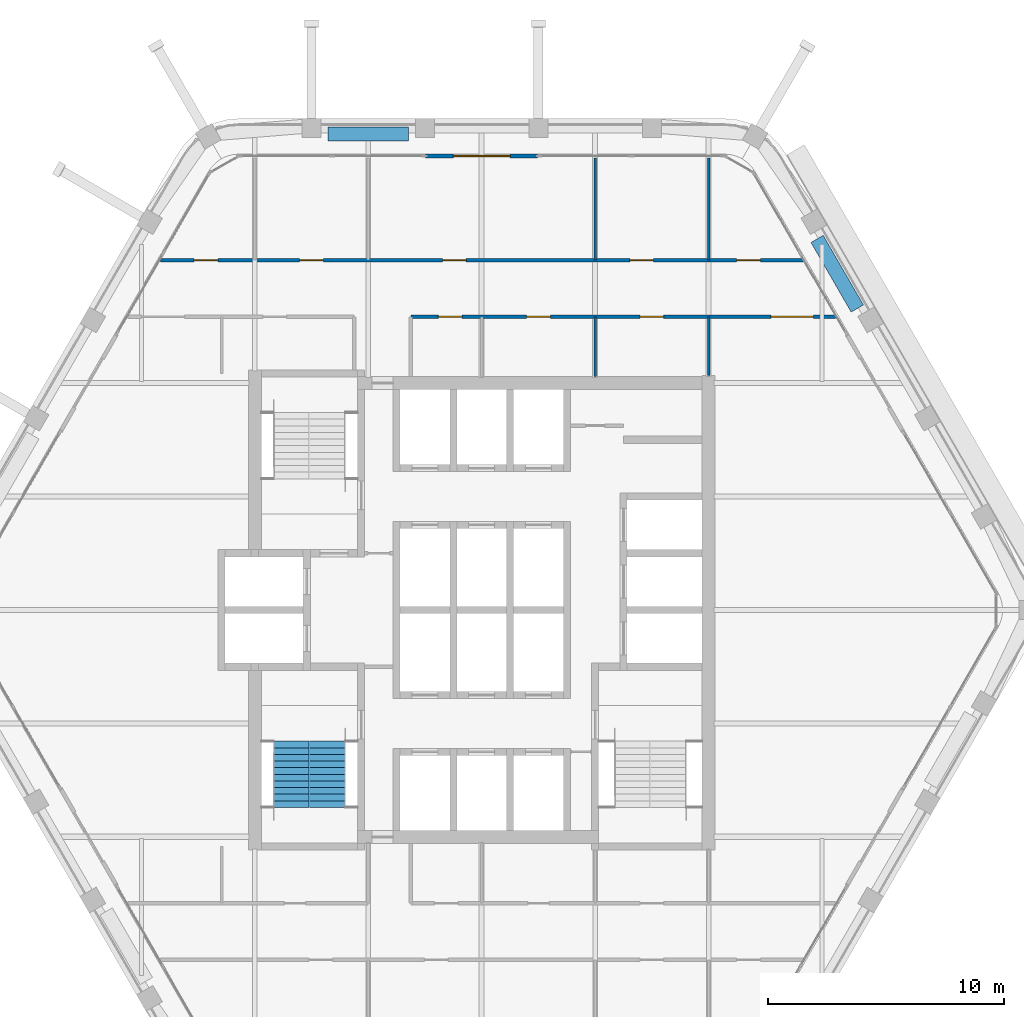
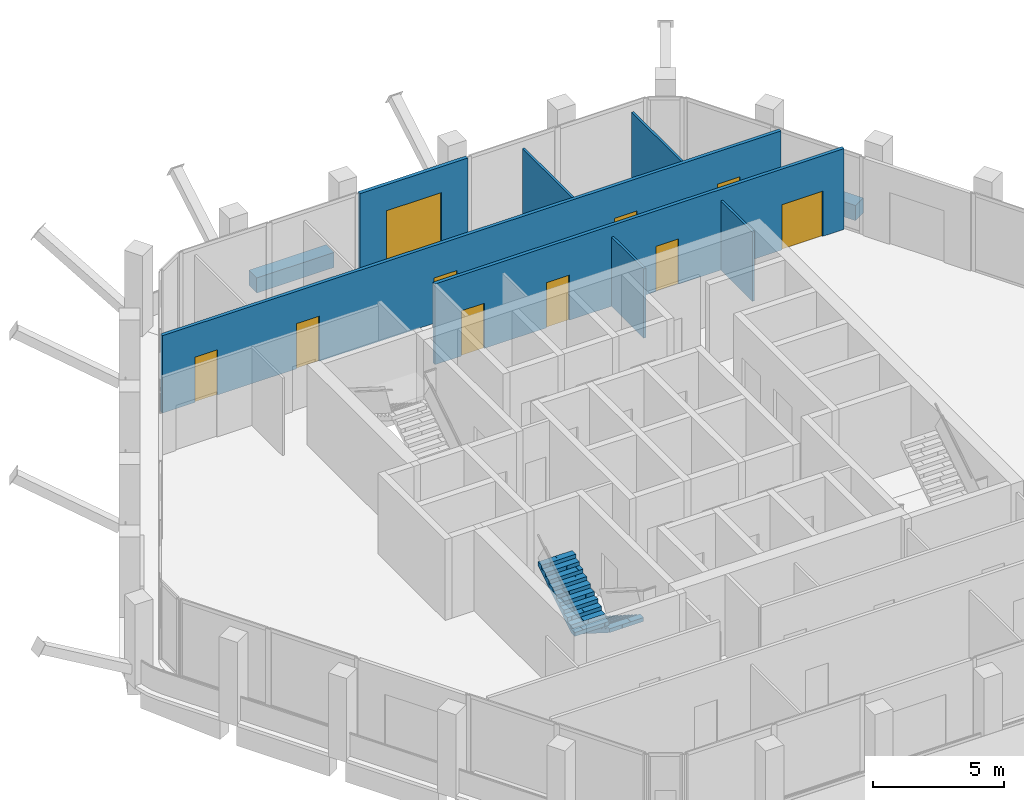
# One storey, part 10 of 14: 10 doors, 9 walls, 2 stair flights, 10 openings, 1 element without a shape of its own.
"""IFC4 building model written with IfcOpenShell, lengths in metres."""

from ifc_helpers import new_model, si_unit, direction, frame, frame_2d, origin, place, context, subcontext, project, spatial, polyline, rectangle, outline, extrude, material, layer, layer_set, type_object, element, fill, aggregate, save


model = new_model("IFC4")

# Units and contexts
model_context = context("Model", 3, precision=1e-05, world=origin(), true_north=direction((0.0, 1.0)))
body_context = subcontext(model_context, "Body", "Model", "MODEL_VIEW")
ifc_project = project(units=[si_unit("LENGTHUNIT", "METRE"), si_unit("AREAUNIT", "SQUARE_METRE"), si_unit("VOLUMEUNIT", "CUBIC_METRE"), si_unit("PLANEANGLEUNIT", "RADIAN"), si_unit("MASSUNIT", "GRAM", prefix="KILO")], contexts=[model_context])

# Site, building, storey
site_placement = place(None, origin())
site = spatial("IfcSite", under=ifc_project, at=site_placement, CompositionType="ELEMENT")
building_placement = place(site_placement, origin())
building = spatial("IfcBuilding", under=site, at=building_placement, Name="Kolab Exchange Tower", CompositionType="ELEMENT")
storey_placement = place(building_placement, frame((0.0, 0.0, 250.10009765625)))
storey = spatial("IfcBuildingStorey", under=building, at=storey_placement, Name="L55", CompositionType="ELEMENT", Elevation=250.10009765625)

# Wall, opening, door
ifc_material_1 = material(Name="Aluminium EN AW-6063 T6", Category="aluminium")
ifc_layer_1 = layer(ifc_material_1, 0.159912109375)
ifc_layer_set_1 = layer_set([ifc_layer_1], Name="Aluminium EN AW-6063 T6")
wall_type_1 = type_object("IfcWallType", Name="DOOR SURROUND WALL 160 ALUMINIUM FRAMED", PredefinedType="PARTITIONING", material=ifc_layer_set_1)
wall_1_placement = place(storey_placement, frame((-2.3701171875, 19.20458984375, 0.0), z_axis=(0.0, 0.0, 1.0), x_axis=(1.0, 0.0, 0.0)))
wall_1 = element("IfcWall", 1, at=wall_1_placement, inside=storey, type_object=wall_type_1, Name="Door surround wall", PredefinedType="PARTITIONING", context=body_context, shape_type="SweptSolid", body=[
    extrude(rectangle(XDim=4.740234375, YDim=0.159912109375, at=frame_2d((2.3701171875, 0.0))), origin(), (0.0, 0.0, 1.0), 3.599853515625),
])
opening_1_placement = place(wall_1_placement, frame((1.169921875, 0.0, 0.0)))
opening_1 = element("IfcOpeningElement", 2, at=opening_1_placement, cuts=wall_1, Name="Opening GD1-098", PredefinedType="OPENING", context=body_context, shape_type="SweptSolid", body=[
    extrude(rectangle(XDim=2.39990234375, YDim=2.39990234375, at=frame_2d((1.199951171875, 1.199951171875))), frame((0.0, 0.08984375, 0.0), z_axis=(0.0, -1.0, 0.0), x_axis=(1.0, 0.0, 0.0)), (0.0, 0.0, 1.0), 0.179931640625),
])
door_type_1 = type_object("IfcDoorType", Name="LOGGIA SLIDING GLASS DOOR 2400 X 2400", OperationType="DOUBLE_DOOR_SINGLE_SWING", PredefinedType="DOOR", material=ifc_material_1)
door_1_placement = place(opening_1_placement, origin())
door_1 = element("IfcDoor", 3, at=door_1_placement, inside=storey, type_object=door_type_1, Name="Loggia door", OperationType="DOUBLE_DOOR_SLIDING", OverallHeight=2.39990234375, OverallWidth=2.39990234375, PredefinedType="DOOR", context=body_context, shape_type="SweptSolid", body=[
    extrude(rectangle(XDim=2.39990234375, YDim=2.39990234375, at=frame_2d((1.199951171875, 1.199951171875))), frame((0.0, 0.02490234375, 0.0), z_axis=(0.0, -1.0, 0.0), x_axis=(1.0, 0.0, 0.0)), (0.0, 0.0, 1.0), 0.050048828125),
])
fill(opening_1, door_1)

# Walls
ifc_material_2 = material(Name="Gypsum board", Category="gypsum")
ifc_layer_2 = layer(ifc_material_2, 0.10009765625)
ifc_layer_set_2 = layer_set([ifc_layer_2], Name="Gypsum board")
wall_type_2 = type_object("IfcWallType", Name="PARTITION 100", PredefinedType="PARTITIONING", material=ifc_layer_set_2)
wall_2_placement = place(storey_placement, frame((9.60009765625, 9.925048828125, 0.0), z_axis=(0.0, 0.0, 1.0), x_axis=(0.0, 1.0, 0.0)))
element("IfcWall", 4, at=wall_2_placement, inside=storey, type_object=wall_type_2, Name="Partition 002", PredefinedType="PARTITIONING", context=body_context, shape_type="SweptSolid", body=[
    extrude(rectangle(XDim=2.474853515625, YDim=0.10009765625, at=frame_2d((1.2373046875, 0.0))), origin(), (0.0, 0.0, 1.0), 3.216796875),
])
wall_3_placement = place(storey_placement, frame((9.60009765625, 14.800048828125, 0.0), z_axis=(0.0, 0.0, 1.0), x_axis=(0.0, 1.0, 0.0)))
element("IfcWall", 5, at=wall_3_placement, inside=storey, type_object=wall_type_2, Name="Partition 003", PredefinedType="PARTITIONING", context=body_context, shape_type="SweptSolid", body=[
    extrude(rectangle(XDim=4.314453125, YDim=0.10009765625, at=frame_2d((2.1572265625, 0.0))), origin(), (0.0, 0.0, 1.0), 3.216796875),
])
wall_4_placement = place(storey_placement, frame((4.800048828125, 9.875, 0.0), z_axis=(0.0, 0.0, 1.0), x_axis=(0.0, 1.0, 0.0)))
element("IfcWall", 6, at=wall_4_placement, inside=storey, type_object=wall_type_2, Name="Partition 006", PredefinedType="PARTITIONING", context=body_context, shape_type="SweptSolid", body=[
    extrude(rectangle(XDim=2.52490234375, YDim=0.10009765625, at=frame_2d((1.262451171875, 0.0))), origin(), (0.0, 0.0, 1.0), 3.216796875),
])
wall_5_placement = place(storey_placement, frame((4.800048828125, 14.800048828125, 0.0), z_axis=(0.0, 0.0, 1.0), x_axis=(0.0, 1.0, 0.0)))
element("IfcWall", 7, at=wall_5_placement, inside=storey, type_object=wall_type_2, Name="Partition 007", PredefinedType="PARTITIONING", context=body_context, shape_type="SweptSolid", body=[
    extrude(rectangle(XDim=4.314453125, YDim=0.10009765625, at=frame_2d((2.1572265625, 0.0))), origin(), (0.0, 0.0, 1.0), 3.216796875),
])

# Wall, openings, doors
ifc_layer_3 = layer(ifc_material_2, 0.14990234375)
ifc_layer_set_3 = layer_set([ifc_layer_3], Name="Gypsum board")
wall_type_3 = type_object("IfcWallType", Name="PARTITION 150 FIRE-RATED", PredefinedType="PARTITIONING", material=ifc_layer_set_3)
wall_6_placement = place(storey_placement, frame((-3.0, 12.39990234375, 0.0), z_axis=(0.0, 0.0, 1.0), x_axis=(1.0, 0.0, 0.0)))
wall_6 = element("IfcWall", 8, at=wall_6_placement, inside=storey, type_object=wall_type_3, Name="Partition 025", PredefinedType="PARTITIONING", context=body_context, shape_type="SweptSolid", body=[
    extrude(rectangle(XDim=17.97021484375, YDim=0.14990234375, at=frame_2d((8.985107421875, 0.0))), origin(), (0.0, 0.0, 1.0), 3.75),
])
opening_2_placement = place(wall_6_placement, frame((1.1650390625, 0.0, 0.0)))
opening_2 = element("IfcOpeningElement", 9, at=opening_2_placement, cuts=wall_6, Name="Opening D1-671", PredefinedType="OPENING", context=body_context, shape_type="SweptSolid", body=[
    extrude(rectangle(XDim=1.0, YDim=2.10009765625, at=frame_2d((0.5, 1.050048828125))), frame((0.0, 0.0849609375, 0.0), z_axis=(0.0, -1.0, 0.0), x_axis=(1.0, 0.0, 0.0)), (0.0, 0.0, 1.0), 0.169921875),
])
opening_3_placement = place(wall_6_placement, frame((4.89990234375, 0.0, 0.0)))
opening_3 = element("IfcOpeningElement", 10, at=opening_3_placement, cuts=wall_6, Name="Opening D1-672", PredefinedType="OPENING", context=body_context, shape_type="SweptSolid", body=[
    extrude(rectangle(XDim=1.0, YDim=2.10009765625, at=frame_2d((0.5, 1.050048828125))), frame((0.0, 0.0849609375, 0.0), z_axis=(0.0, -1.0, 0.0), x_axis=(1.0, 0.0, 0.0)), (0.0, 0.0, 1.0), 0.169921875),
])
opening_4_placement = place(wall_6_placement, frame((9.699951171875, 0.0, 0.0)))
opening_4 = element("IfcOpeningElement", 11, at=opening_4_placement, cuts=wall_6, Name="Opening D1-673", PredefinedType="OPENING", context=body_context, shape_type="SweptSolid", body=[
    extrude(rectangle(XDim=1.0, YDim=2.10009765625, at=frame_2d((0.5, 1.050048828125))), frame((0.0, 0.0849609375, 0.0), z_axis=(0.0, -1.0, 0.0), x_axis=(1.0, 0.0, 0.0)), (0.0, 0.0, 1.0), 0.169921875),
])
opening_5_placement = place(wall_6_placement, frame((15.231689453125, 0.0, 0.0)))
opening_5 = element("IfcOpeningElement", 12, at=opening_5_placement, cuts=wall_6, Name="Opening D2-069", PredefinedType="OPENING", context=body_context, shape_type="SweptSolid", body=[
    extrude(rectangle(XDim=1.800048828125, YDim=2.10009765625, at=frame_2d((0.89990234375, 1.050048828125))), frame((0.0, 0.0849609375, 0.0), z_axis=(0.0, -1.0, 0.0), x_axis=(1.0, 0.0, 0.0)), (0.0, 0.0, 1.0), 0.169921875),
])
ifc_material_3 = material(Name="Steel S235", Category="steel")
door_type_2 = type_object("IfcDoorType", Name="DOUBLE DOOR 1800 FD60", OperationType="DOUBLE_DOOR_SINGLE_SWING", PredefinedType="DOOR", material=ifc_material_3)
door_2_placement = place(opening_5_placement, frame((1.800048828125, 0.0, 0.0), z_axis=(0.0, 0.0, 1.0), x_axis=(-1.0, 0.0, 0.0)))
door_2 = element("IfcDoor", 13, at=door_2_placement, inside=storey, type_object=door_type_2, Name="Door L55-048", OperationType="SINGLE_SWING_RIGHT", OverallHeight=2.10009765625, OverallWidth=1.800048828125, PredefinedType="DOOR", context=body_context, shape_type="SweptSolid", body=[
    extrude(rectangle(XDim=1.800048828125, YDim=2.10009765625, at=frame_2d((0.89990234375, 1.050048828125))), frame((0.0, 0.02490234375, 0.0), z_axis=(0.0, -1.0, 0.0), x_axis=(1.0, 0.0, 0.0)), (0.0, 0.0, 1.0), 0.050048828125),
])
fill(opening_5, door_2)
door_type_3 = type_object("IfcDoorType", Name="FLUSH DOOR 1000 FD60", OperationType="SINGLE_SWING_LEFT", PredefinedType="DOOR", material=ifc_material_3)
door_3_placement = place(opening_2_placement, frame((1.0, 0.0, 0.0), z_axis=(0.0, 0.0, 1.0), x_axis=(-1.0, 0.0, 0.0)))
door_3 = element("IfcDoor", 14, at=door_3_placement, inside=storey, type_object=door_type_3, Name="Door L55-031", OperationType="SINGLE_SWING_RIGHT", OverallHeight=2.10009765625, OverallWidth=1.0, PredefinedType="DOOR", context=body_context, shape_type="SweptSolid", body=[
    extrude(rectangle(XDim=1.0, YDim=2.10009765625, at=frame_2d((0.5, 1.050048828125))), frame((0.0, 0.02490234375, 0.0), z_axis=(0.0, -1.0, 0.0), x_axis=(1.0, 0.0, 0.0)), (0.0, 0.0, 1.0), 0.050048828125),
])
fill(opening_2, door_3)
door_4_placement = place(opening_3_placement, frame((1.0, 0.0, 0.0), z_axis=(0.0, 0.0, 1.0), x_axis=(-1.0, 0.0, 0.0)))
door_4 = element("IfcDoor", 15, at=door_4_placement, inside=storey, type_object=door_type_3, Name="Door L55-032", OperationType="SINGLE_SWING_RIGHT", OverallHeight=2.10009765625, OverallWidth=1.0, PredefinedType="DOOR", context=body_context, shape_type="SweptSolid", body=[
    extrude(rectangle(XDim=1.0, YDim=2.10009765625, at=frame_2d((0.5, 1.050048828125))), frame((0.0, 0.02490234375, 0.0), z_axis=(0.0, -1.0, 0.0), x_axis=(1.0, 0.0, 0.0)), (0.0, 0.0, 1.0), 0.050048828125),
])
fill(opening_3, door_4)
door_5_placement = place(opening_4_placement, frame((1.0, 0.0, 0.0), z_axis=(0.0, 0.0, 1.0), x_axis=(-1.0, 0.0, 0.0)))
door_5 = element("IfcDoor", 16, at=door_5_placement, inside=storey, type_object=door_type_3, Name="Door L55-033", OperationType="SINGLE_SWING_LEFT", OverallHeight=2.10009765625, OverallWidth=1.0, PredefinedType="DOOR", context=body_context, shape_type="SweptSolid", body=[
    extrude(rectangle(XDim=1.0, YDim=2.10009765625, at=frame_2d((0.5, 1.050048828125))), frame((0.0, 0.02490234375, 0.0), z_axis=(0.0, -1.0, 0.0), x_axis=(1.0, 0.0, 0.0)), (0.0, 0.0, 1.0), 0.050048828125),
])
fill(opening_4, door_5)

wall_7_placement = place(storey_placement, frame((-13.584716796875, 14.800048828125, 0.0), z_axis=(0.0, 0.0, 1.0), x_axis=(1.0, 0.0, 0.0)))
wall_7 = element("IfcWall", 17, at=wall_7_placement, inside=storey, type_object=wall_type_3, Name="Partition 026", PredefinedType="PARTITIONING", context=body_context, shape_type="SweptSolid", body=[
    extrude(rectangle(XDim=27.16943359375, YDim=0.14990234375, at=frame_2d((13.584716796875, 0.0))), origin(), (0.0, 0.0, 1.0), 3.599853515625),
])
opening_6_placement = place(wall_7_placement, frame((1.423095703125, 0.0, 0.0)))
opening_6 = element("IfcOpeningElement", 18, at=opening_6_placement, cuts=wall_7, Name="Opening D1-687", PredefinedType="OPENING", context=body_context, shape_type="SweptSolid", body=[
    extrude(rectangle(XDim=1.0, YDim=2.10009765625, at=frame_2d((0.5, 1.050048828125))), frame((0.0, 0.0849609375, 0.0), z_axis=(0.0, -1.0, 0.0), x_axis=(1.0, 0.0, 0.0)), (0.0, 0.0, 1.0), 0.169921875),
])
opening_7_placement = place(wall_7_placement, frame((5.884521484375, 0.0, 0.0)))
opening_7 = element("IfcOpeningElement", 19, at=opening_7_placement, cuts=wall_7, Name="Opening D1-688", PredefinedType="OPENING", context=body_context, shape_type="SweptSolid", body=[
    extrude(rectangle(XDim=1.0, YDim=2.10009765625, at=frame_2d((0.5, 1.050048828125))), frame((0.0, 0.0849609375, 0.0), z_axis=(0.0, -1.0, 0.0), x_axis=(1.0, 0.0, 0.0)), (0.0, 0.0, 1.0), 0.169921875),
])
opening_8_placement = place(wall_7_placement, frame((11.9296875, 0.0, 0.0)))
opening_8 = element("IfcOpeningElement", 20, at=opening_8_placement, cuts=wall_7, Name="Opening D1-689", PredefinedType="OPENING", context=body_context, shape_type="SweptSolid", body=[
    extrude(rectangle(XDim=1.0, YDim=2.10009765625, at=frame_2d((0.5, 1.050048828125))), frame((0.0, 0.0849609375, 0.0), z_axis=(0.0, -1.0, 0.0), x_axis=(1.0, 0.0, 0.0)), (0.0, 0.0, 1.0), 0.169921875),
])
opening_9_placement = place(wall_7_placement, frame((19.849609375, 0.0, 0.0)))
opening_9 = element("IfcOpeningElement", 21, at=opening_9_placement, cuts=wall_7, Name="Opening D1-690", PredefinedType="OPENING", context=body_context, shape_type="SweptSolid", body=[
    extrude(rectangle(XDim=1.0, YDim=2.10009765625, at=frame_2d((0.5, 1.050048828125))), frame((0.0, 0.0849609375, 0.0), z_axis=(0.0, -1.0, 0.0), x_axis=(1.0, 0.0, 0.0)), (0.0, 0.0, 1.0), 0.169921875),
])
opening_10_placement = place(wall_7_placement, frame((24.36767578125, 0.0, 0.0)))
opening_10 = element("IfcOpeningElement", 22, at=opening_10_placement, cuts=wall_7, Name="Opening D1-691", PredefinedType="OPENING", context=body_context, shape_type="SweptSolid", body=[
    extrude(rectangle(XDim=1.0, YDim=2.10009765625, at=frame_2d((0.5, 1.050048828125))), frame((0.0, 0.0849609375, 0.0), z_axis=(0.0, -1.0, 0.0), x_axis=(1.0, 0.0, 0.0)), (0.0, 0.0, 1.0), 0.169921875),
])
door_6_placement = place(opening_6_placement, origin())
door_6 = element("IfcDoor", 23, at=door_6_placement, inside=storey, type_object=door_type_3, Name="Door L55-039", OperationType="SINGLE_SWING_LEFT", OverallHeight=2.10009765625, OverallWidth=1.0, PredefinedType="DOOR", context=body_context, shape_type="SweptSolid", body=[
    extrude(rectangle(XDim=1.0, YDim=2.10009765625, at=frame_2d((0.5, 1.050048828125))), frame((0.0, 0.02490234375, 0.0), z_axis=(0.0, -1.0, 0.0), x_axis=(1.0, 0.0, 0.0)), (0.0, 0.0, 1.0), 0.050048828125),
])
fill(opening_6, door_6)
door_7_placement = place(opening_7_placement, origin())
door_7 = element("IfcDoor", 24, at=door_7_placement, inside=storey, type_object=door_type_3, Name="Door L55-040", OperationType="SINGLE_SWING_LEFT", OverallHeight=2.10009765625, OverallWidth=1.0, PredefinedType="DOOR", context=body_context, shape_type="SweptSolid", body=[
    extrude(rectangle(XDim=1.0, YDim=2.10009765625, at=frame_2d((0.5, 1.050048828125))), frame((0.0, 0.02490234375, 0.0), z_axis=(0.0, -1.0, 0.0), x_axis=(1.0, 0.0, 0.0)), (0.0, 0.0, 1.0), 0.050048828125),
])
fill(opening_7, door_7)
door_8_placement = place(opening_8_placement, origin())
door_8 = element("IfcDoor", 25, at=door_8_placement, inside=storey, type_object=door_type_3, Name="Door L55-041", OperationType="SINGLE_SWING_LEFT", OverallHeight=2.10009765625, OverallWidth=1.0, PredefinedType="DOOR", context=body_context, shape_type="SweptSolid", body=[
    extrude(rectangle(XDim=1.0, YDim=2.10009765625, at=frame_2d((0.5, 1.050048828125))), frame((0.0, 0.02490234375, 0.0), z_axis=(0.0, -1.0, 0.0), x_axis=(1.0, 0.0, 0.0)), (0.0, 0.0, 1.0), 0.050048828125),
])
fill(opening_8, door_8)
door_9_placement = place(opening_9_placement, origin())
door_9 = element("IfcDoor", 26, at=door_9_placement, inside=storey, type_object=door_type_3, Name="Door L55-042", OperationType="SINGLE_SWING_LEFT", OverallHeight=2.10009765625, OverallWidth=1.0, PredefinedType="DOOR", context=body_context, shape_type="SweptSolid", body=[
    extrude(rectangle(XDim=1.0, YDim=2.10009765625, at=frame_2d((0.5, 1.050048828125))), frame((0.0, 0.02490234375, 0.0), z_axis=(0.0, -1.0, 0.0), x_axis=(1.0, 0.0, 0.0)), (0.0, 0.0, 1.0), 0.050048828125),
])
fill(opening_9, door_9)
door_10_placement = place(opening_10_placement, origin())
door_10 = element("IfcDoor", 27, at=door_10_placement, inside=storey, type_object=door_type_3, Name="Door L55-043", OperationType="SINGLE_SWING_LEFT", OverallHeight=2.10009765625, OverallWidth=1.0, PredefinedType="DOOR", context=body_context, shape_type="SweptSolid", body=[
    extrude(rectangle(XDim=1.0, YDim=2.10009765625, at=frame_2d((0.5, 1.050048828125))), frame((0.0, 0.02490234375, 0.0), z_axis=(0.0, -1.0, 0.0), x_axis=(1.0, 0.0, 0.0)), (0.0, 0.0, 1.0), 0.050048828125),
])
fill(opening_10, door_10)

# Walls
ifc_material_4 = material(Name="Granite facing", Category="masonry")
ifc_layer_4 = layer(ifc_material_4, 0.0400390625)
ifc_material_5 = material(Name="Concrete C40/50 precast", Category="concrete")
ifc_layer_5 = layer(ifc_material_5, 0.56005859375)
ifc_layer_set_4 = layer_set([ifc_layer_4, ifc_layer_5], Name="Concrete C40/50 precast")
wall_type_4 = type_object("IfcWallType", Name="PLANTER BOX 600 X 700 SOIL DEPTH 550", PredefinedType="USERDEFINED", material=ifc_layer_set_4)
wall_8_placement = place(storey_placement, frame((-6.5, 20.134521484375, 0.0), z_axis=(0.0, 0.0, 1.0), x_axis=(1.0, 0.0, 0.0)))
element("IfcWall", 28, at=wall_8_placement, inside=storey, type_object=wall_type_4, Name="Planter", ObjectType="PLANTER", PredefinedType="USERDEFINED", context=body_context, shape_type="SweptSolid", body=[
    extrude(rectangle(XDim=3.39990234375, YDim=0.60009765625, at=frame_2d((1.699951171875, 0.0))), origin(), (0.0, 0.0, 1.0), 0.699951171875),
])
wall_9_placement = place(storey_placement, frame((14.18701171875, 15.696533203125, 0.0), z_axis=(0.0, 0.0, 1.0), x_axis=(0.499977295307, -0.866038511948, 0.0)))
element("IfcWall", 29, at=wall_9_placement, inside=storey, type_object=wall_type_4, Name="Planter", ObjectType="PLANTER", PredefinedType="USERDEFINED", context=body_context, shape_type="SweptSolid", body=[
    extrude(rectangle(XDim=3.400146484375, YDim=0.60009765625, at=frame_2d((1.7001953125, 0.0))), origin(), (0.0, 0.0, 1.0), 0.699951171875),
])

# Stair, stair flights
ifc_material_6 = material(Name="Concrete C50/60", Category="concrete")
stair_type = type_object("IfcStairType", Name="STAIR ST3 RISER 177.3", PredefinedType="HALF_TURN_STAIR", material=ifc_material_6)
stair_placement = place(storey_placement, origin())
stair = element("IfcStair", 30, at=stair_placement, inside=storey, type_object=stair_type, Name="Stair 3", PredefinedType="HALF_TURN_STAIR")
stair_flight_type = type_object("IfcStairFlightType", Name="STAIR FLIGHT 1500 RISER 177.3", PredefinedType="STRAIGHT", material=ifc_material_6)
stair_flight_1_placement = place(storey_placement, frame((-6.527587890625, -5.550048828125, 0.0), z_axis=(0.0, 0.0, 1.0), x_axis=(0.0, -1.0, 0.0)))
stair_flight_1 = element("IfcStairFlight", 31, at=stair_flight_1_placement, type_object=stair_flight_type, Name="ST3 flight 1", NumberOfRisers=11, NumberOfTreads=10, PredefinedType="STRAIGHT", RiserHeight=0.177272727, TreadLength=0.28, context=body_context, shape_type="SweptSolid", body=[
    extrude(outline(polyline([(0.0, 0.0), (0.0, 0.17724609375), (0.280029296875, 0.17724609375), (0.280029296875, 0.3544921875), (0.56005859375, 0.3544921875), (0.56005859375, 0.53173828125), (0.840087890625, 0.53173828125), (0.840087890625, 0.708984375), (1.1201171875, 0.708984375), (1.1201171875, 0.886474609375), (1.39990234375, 0.886474609375), (1.39990234375, 1.063720703125), (1.679931640625, 1.063720703125), (1.679931640625, 1.240966796875), (1.9599609375, 1.240966796875), (1.9599609375, 1.418212890625), (2.239990234375, 1.418212890625), (2.239990234375, 1.595458984375), (2.52001953125, 1.595458984375), (2.52001953125, 1.772705078125), (2.800048828125, 1.772705078125), (2.800048828125, 1.949951171875), (2.800048828125, 1.59521484375), (0.2802734375, 0.0), (0.0, 0.0)])), frame((0.0, 0.75, 0.0), z_axis=(0.0, -1.0, 0.0), x_axis=(1.0, 0.0, 0.0)), (0.0, 0.0, 1.0), 0.185791015625),
    extrude(outline(polyline([(0.0, 0.0), (0.0, 0.17724609375), (0.280029296875, 0.17724609375), (0.280029296875, 0.3544921875), (0.56005859375, 0.3544921875), (0.56005859375, 0.53173828125), (0.840087890625, 0.53173828125), (0.840087890625, 0.708984375), (1.1201171875, 0.708984375), (1.1201171875, 0.886474609375), (1.39990234375, 0.886474609375), (1.39990234375, 1.063720703125), (1.679931640625, 1.063720703125), (1.679931640625, 1.240966796875), (1.9599609375, 1.240966796875), (1.9599609375, 1.418212890625), (2.239990234375, 1.418212890625), (2.239990234375, 1.595458984375), (2.52001953125, 1.595458984375), (2.52001953125, 1.772705078125), (2.800048828125, 1.772705078125), (2.800048828125, 1.949951171875), (2.800048828125, 1.59521484375), (0.2802734375, 0.0), (0.0, 0.0)])), frame((0.0, 0.562255859375, 0.0), z_axis=(0.0, -1.0, 0.0), x_axis=(1.0, 0.0, 0.0)), (0.0, 0.0, 1.0), 0.185791015625),
    extrude(outline(polyline([(0.0, 0.0), (0.0, 0.17724609375), (0.280029296875, 0.17724609375), (0.280029296875, 0.3544921875), (0.56005859375, 0.3544921875), (0.56005859375, 0.53173828125), (0.840087890625, 0.53173828125), (0.840087890625, 0.708984375), (1.1201171875, 0.708984375), (1.1201171875, 0.886474609375), (1.39990234375, 0.886474609375), (1.39990234375, 1.063720703125), (1.679931640625, 1.063720703125), (1.679931640625, 1.240966796875), (1.9599609375, 1.240966796875), (1.9599609375, 1.418212890625), (2.239990234375, 1.418212890625), (2.239990234375, 1.595458984375), (2.52001953125, 1.595458984375), (2.52001953125, 1.772705078125), (2.800048828125, 1.772705078125), (2.800048828125, 1.949951171875), (2.800048828125, 1.59521484375), (0.2802734375, 0.0), (0.0, 0.0)])), frame((0.0, 0.37451171875, 0.0), z_axis=(0.0, -1.0, 0.0), x_axis=(1.0, 0.0, 0.0)), (0.0, 0.0, 1.0), 0.185791015625),
    extrude(outline(polyline([(0.0, 0.0), (0.0, 0.17724609375), (0.280029296875, 0.17724609375), (0.280029296875, 0.3544921875), (0.56005859375, 0.3544921875), (0.56005859375, 0.53173828125), (0.840087890625, 0.53173828125), (0.840087890625, 0.708984375), (1.1201171875, 0.708984375), (1.1201171875, 0.886474609375), (1.39990234375, 0.886474609375), (1.39990234375, 1.063720703125), (1.679931640625, 1.063720703125), (1.679931640625, 1.240966796875), (1.9599609375, 1.240966796875), (1.9599609375, 1.418212890625), (2.239990234375, 1.418212890625), (2.239990234375, 1.595458984375), (2.52001953125, 1.595458984375), (2.52001953125, 1.772705078125), (2.800048828125, 1.772705078125), (2.800048828125, 1.949951171875), (2.800048828125, 1.59521484375), (0.2802734375, 0.0), (0.0, 0.0)])), frame((0.0, 0.186767578125, 0.0), z_axis=(0.0, -1.0, 0.0), x_axis=(1.0, 0.0, 0.0)), (0.0, 0.0, 1.0), 0.185791015625),
    extrude(outline(polyline([(0.0, 0.0), (0.0, 0.17724609375), (0.280029296875, 0.17724609375), (0.280029296875, 0.3544921875), (0.56005859375, 0.3544921875), (0.56005859375, 0.53173828125), (0.840087890625, 0.53173828125), (0.840087890625, 0.708984375), (1.1201171875, 0.708984375), (1.1201171875, 0.886474609375), (1.39990234375, 0.886474609375), (1.39990234375, 1.063720703125), (1.679931640625, 1.063720703125), (1.679931640625, 1.240966796875), (1.9599609375, 1.240966796875), (1.9599609375, 1.418212890625), (2.239990234375, 1.418212890625), (2.239990234375, 1.595458984375), (2.52001953125, 1.595458984375), (2.52001953125, 1.772705078125), (2.800048828125, 1.772705078125), (2.800048828125, 1.949951171875), (2.800048828125, 1.59521484375), (0.2802734375, 0.0), (0.0, 0.0)])), frame((0.0, -0.0009765625, 0.0), z_axis=(0.0, -1.0, 0.0), x_axis=(1.0, 0.0, 0.0)), (0.0, 0.0, 1.0), 0.185791015625),
    extrude(outline(polyline([(0.0, 0.0), (0.0, 0.17724609375), (0.280029296875, 0.17724609375), (0.280029296875, 0.3544921875), (0.56005859375, 0.3544921875), (0.56005859375, 0.53173828125), (0.840087890625, 0.53173828125), (0.840087890625, 0.708984375), (1.1201171875, 0.708984375), (1.1201171875, 0.886474609375), (1.39990234375, 0.886474609375), (1.39990234375, 1.063720703125), (1.679931640625, 1.063720703125), (1.679931640625, 1.240966796875), (1.9599609375, 1.240966796875), (1.9599609375, 1.418212890625), (2.239990234375, 1.418212890625), (2.239990234375, 1.595458984375), (2.52001953125, 1.595458984375), (2.52001953125, 1.772705078125), (2.800048828125, 1.772705078125), (2.800048828125, 1.949951171875), (2.800048828125, 1.59521484375), (0.2802734375, 0.0), (0.0, 0.0)])), frame((0.0, -0.188720703125, 0.0), z_axis=(0.0, -1.0, 0.0), x_axis=(1.0, 0.0, 0.0)), (0.0, 0.0, 1.0), 0.185791015625),
    extrude(outline(polyline([(0.0, 0.0), (0.0, 0.17724609375), (0.280029296875, 0.17724609375), (0.280029296875, 0.3544921875), (0.56005859375, 0.3544921875), (0.56005859375, 0.53173828125), (0.840087890625, 0.53173828125), (0.840087890625, 0.708984375), (1.1201171875, 0.708984375), (1.1201171875, 0.886474609375), (1.39990234375, 0.886474609375), (1.39990234375, 1.063720703125), (1.679931640625, 1.063720703125), (1.679931640625, 1.240966796875), (1.9599609375, 1.240966796875), (1.9599609375, 1.418212890625), (2.239990234375, 1.418212890625), (2.239990234375, 1.595458984375), (2.52001953125, 1.595458984375), (2.52001953125, 1.772705078125), (2.800048828125, 1.772705078125), (2.800048828125, 1.949951171875), (2.800048828125, 1.59521484375), (0.2802734375, 0.0), (0.0, 0.0)])), frame((0.0, -0.37646484375, 0.0), z_axis=(0.0, -1.0, 0.0), x_axis=(1.0, 0.0, 0.0)), (0.0, 0.0, 1.0), 0.185791015625),
    extrude(outline(polyline([(0.0, 0.0), (0.0, 0.17724609375), (0.280029296875, 0.17724609375), (0.280029296875, 0.3544921875), (0.56005859375, 0.3544921875), (0.56005859375, 0.53173828125), (0.840087890625, 0.53173828125), (0.840087890625, 0.708984375), (1.1201171875, 0.708984375), (1.1201171875, 0.886474609375), (1.39990234375, 0.886474609375), (1.39990234375, 1.063720703125), (1.679931640625, 1.063720703125), (1.679931640625, 1.240966796875), (1.9599609375, 1.240966796875), (1.9599609375, 1.418212890625), (2.239990234375, 1.418212890625), (2.239990234375, 1.595458984375), (2.52001953125, 1.595458984375), (2.52001953125, 1.772705078125), (2.800048828125, 1.772705078125), (2.800048828125, 1.949951171875), (2.800048828125, 1.59521484375), (0.2802734375, 0.0), (0.0, 0.0)])), frame((0.0, -0.564208984375, 0.0), z_axis=(0.0, -1.0, 0.0), x_axis=(1.0, 0.0, 0.0)), (0.0, 0.0, 1.0), 0.185791015625),
])
stair_flight_2_placement = place(storey_placement, frame((-8.047607421875, -8.35009765625, 1.949951171875), z_axis=(0.0, 0.0, 1.0), x_axis=(0.0, 1.0, 0.0)))
stair_flight_2 = element("IfcStairFlight", 32, at=stair_flight_2_placement, type_object=stair_flight_type, Name="ST3 flight 2", NumberOfRisers=11, NumberOfTreads=10, PredefinedType="STRAIGHT", RiserHeight=0.177272727, TreadLength=0.28, context=body_context, shape_type="SweptSolid", body=[
    extrude(outline(polyline([(0.0, 0.0), (0.0, 0.17724609375), (0.280029296875, 0.17724609375), (0.280029296875, 0.3544921875), (0.56005859375, 0.3544921875), (0.56005859375, 0.53173828125), (0.840087890625, 0.53173828125), (0.840087890625, 0.708984375), (1.1201171875, 0.708984375), (1.1201171875, 0.886474609375), (1.39990234375, 0.886474609375), (1.39990234375, 1.063720703125), (1.679931640625, 1.063720703125), (1.679931640625, 1.240966796875), (1.9599609375, 1.240966796875), (1.9599609375, 1.418212890625), (2.239990234375, 1.418212890625), (2.239990234375, 1.595458984375), (2.52001953125, 1.595458984375), (2.52001953125, 1.772705078125), (2.800048828125, 1.772705078125), (2.800048828125, 1.949951171875), (2.800048828125, 1.59521484375), (0.2802734375, 0.0), (0.0, 0.0)])), frame((0.0, 0.75, 0.0), z_axis=(0.0, -1.0, 0.0), x_axis=(1.0, 0.0, 0.0)), (0.0, 0.0, 1.0), 0.185791015625),
    extrude(outline(polyline([(0.0, 0.0), (0.0, 0.17724609375), (0.280029296875, 0.17724609375), (0.280029296875, 0.3544921875), (0.56005859375, 0.3544921875), (0.56005859375, 0.53173828125), (0.840087890625, 0.53173828125), (0.840087890625, 0.708984375), (1.1201171875, 0.708984375), (1.1201171875, 0.886474609375), (1.39990234375, 0.886474609375), (1.39990234375, 1.063720703125), (1.679931640625, 1.063720703125), (1.679931640625, 1.240966796875), (1.9599609375, 1.240966796875), (1.9599609375, 1.418212890625), (2.239990234375, 1.418212890625), (2.239990234375, 1.595458984375), (2.52001953125, 1.595458984375), (2.52001953125, 1.772705078125), (2.800048828125, 1.772705078125), (2.800048828125, 1.949951171875), (2.800048828125, 1.59521484375), (0.2802734375, 0.0), (0.0, 0.0)])), frame((0.0, 0.562255859375, 0.0), z_axis=(0.0, -1.0, 0.0), x_axis=(1.0, 0.0, 0.0)), (0.0, 0.0, 1.0), 0.185791015625),
    extrude(outline(polyline([(0.0, 0.0), (0.0, 0.17724609375), (0.280029296875, 0.17724609375), (0.280029296875, 0.3544921875), (0.56005859375, 0.3544921875), (0.56005859375, 0.53173828125), (0.840087890625, 0.53173828125), (0.840087890625, 0.708984375), (1.1201171875, 0.708984375), (1.1201171875, 0.886474609375), (1.39990234375, 0.886474609375), (1.39990234375, 1.063720703125), (1.679931640625, 1.063720703125), (1.679931640625, 1.240966796875), (1.9599609375, 1.240966796875), (1.9599609375, 1.418212890625), (2.239990234375, 1.418212890625), (2.239990234375, 1.595458984375), (2.52001953125, 1.595458984375), (2.52001953125, 1.772705078125), (2.800048828125, 1.772705078125), (2.800048828125, 1.949951171875), (2.800048828125, 1.59521484375), (0.2802734375, 0.0), (0.0, 0.0)])), frame((0.0, 0.37451171875, 0.0), z_axis=(0.0, -1.0, 0.0), x_axis=(1.0, 0.0, 0.0)), (0.0, 0.0, 1.0), 0.185791015625),
    extrude(outline(polyline([(0.0, 0.0), (0.0, 0.17724609375), (0.280029296875, 0.17724609375), (0.280029296875, 0.3544921875), (0.56005859375, 0.3544921875), (0.56005859375, 0.53173828125), (0.840087890625, 0.53173828125), (0.840087890625, 0.708984375), (1.1201171875, 0.708984375), (1.1201171875, 0.886474609375), (1.39990234375, 0.886474609375), (1.39990234375, 1.063720703125), (1.679931640625, 1.063720703125), (1.679931640625, 1.240966796875), (1.9599609375, 1.240966796875), (1.9599609375, 1.418212890625), (2.239990234375, 1.418212890625), (2.239990234375, 1.595458984375), (2.52001953125, 1.595458984375), (2.52001953125, 1.772705078125), (2.800048828125, 1.772705078125), (2.800048828125, 1.949951171875), (2.800048828125, 1.59521484375), (0.2802734375, 0.0), (0.0, 0.0)])), frame((0.0, 0.186767578125, 0.0), z_axis=(0.0, -1.0, 0.0), x_axis=(1.0, 0.0, 0.0)), (0.0, 0.0, 1.0), 0.185791015625),
    extrude(outline(polyline([(0.0, 0.0), (0.0, 0.17724609375), (0.280029296875, 0.17724609375), (0.280029296875, 0.3544921875), (0.56005859375, 0.3544921875), (0.56005859375, 0.53173828125), (0.840087890625, 0.53173828125), (0.840087890625, 0.708984375), (1.1201171875, 0.708984375), (1.1201171875, 0.886474609375), (1.39990234375, 0.886474609375), (1.39990234375, 1.063720703125), (1.679931640625, 1.063720703125), (1.679931640625, 1.240966796875), (1.9599609375, 1.240966796875), (1.9599609375, 1.418212890625), (2.239990234375, 1.418212890625), (2.239990234375, 1.595458984375), (2.52001953125, 1.595458984375), (2.52001953125, 1.772705078125), (2.800048828125, 1.772705078125), (2.800048828125, 1.949951171875), (2.800048828125, 1.59521484375), (0.2802734375, 0.0), (0.0, 0.0)])), frame((0.0, -0.0009765625, 0.0), z_axis=(0.0, -1.0, 0.0), x_axis=(1.0, 0.0, 0.0)), (0.0, 0.0, 1.0), 0.185791015625),
    extrude(outline(polyline([(0.0, 0.0), (0.0, 0.17724609375), (0.280029296875, 0.17724609375), (0.280029296875, 0.3544921875), (0.56005859375, 0.3544921875), (0.56005859375, 0.53173828125), (0.840087890625, 0.53173828125), (0.840087890625, 0.708984375), (1.1201171875, 0.708984375), (1.1201171875, 0.886474609375), (1.39990234375, 0.886474609375), (1.39990234375, 1.063720703125), (1.679931640625, 1.063720703125), (1.679931640625, 1.240966796875), (1.9599609375, 1.240966796875), (1.9599609375, 1.418212890625), (2.239990234375, 1.418212890625), (2.239990234375, 1.595458984375), (2.52001953125, 1.595458984375), (2.52001953125, 1.772705078125), (2.800048828125, 1.772705078125), (2.800048828125, 1.949951171875), (2.800048828125, 1.59521484375), (0.2802734375, 0.0), (0.0, 0.0)])), frame((0.0, -0.188720703125, 0.0), z_axis=(0.0, -1.0, 0.0), x_axis=(1.0, 0.0, 0.0)), (0.0, 0.0, 1.0), 0.185791015625),
    extrude(outline(polyline([(0.0, 0.0), (0.0, 0.17724609375), (0.280029296875, 0.17724609375), (0.280029296875, 0.3544921875), (0.56005859375, 0.3544921875), (0.56005859375, 0.53173828125), (0.840087890625, 0.53173828125), (0.840087890625, 0.708984375), (1.1201171875, 0.708984375), (1.1201171875, 0.886474609375), (1.39990234375, 0.886474609375), (1.39990234375, 1.063720703125), (1.679931640625, 1.063720703125), (1.679931640625, 1.240966796875), (1.9599609375, 1.240966796875), (1.9599609375, 1.418212890625), (2.239990234375, 1.418212890625), (2.239990234375, 1.595458984375), (2.52001953125, 1.595458984375), (2.52001953125, 1.772705078125), (2.800048828125, 1.772705078125), (2.800048828125, 1.949951171875), (2.800048828125, 1.59521484375), (0.2802734375, 0.0), (0.0, 0.0)])), frame((0.0, -0.37646484375, 0.0), z_axis=(0.0, -1.0, 0.0), x_axis=(1.0, 0.0, 0.0)), (0.0, 0.0, 1.0), 0.185791015625),
    extrude(outline(polyline([(0.0, 0.0), (0.0, 0.17724609375), (0.280029296875, 0.17724609375), (0.280029296875, 0.3544921875), (0.56005859375, 0.3544921875), (0.56005859375, 0.53173828125), (0.840087890625, 0.53173828125), (0.840087890625, 0.708984375), (1.1201171875, 0.708984375), (1.1201171875, 0.886474609375), (1.39990234375, 0.886474609375), (1.39990234375, 1.063720703125), (1.679931640625, 1.063720703125), (1.679931640625, 1.240966796875), (1.9599609375, 1.240966796875), (1.9599609375, 1.418212890625), (2.239990234375, 1.418212890625), (2.239990234375, 1.595458984375), (2.52001953125, 1.595458984375), (2.52001953125, 1.772705078125), (2.800048828125, 1.772705078125), (2.800048828125, 1.949951171875), (2.800048828125, 1.59521484375), (0.2802734375, 0.0), (0.0, 0.0)])), frame((0.0, -0.564208984375, 0.0), z_axis=(0.0, -1.0, 0.0), x_axis=(1.0, 0.0, 0.0)), (0.0, 0.0, 1.0), 0.185791015625),
])
aggregate(stair, [stair_flight_1, stair_flight_2])

save(model, "model.ifc")
